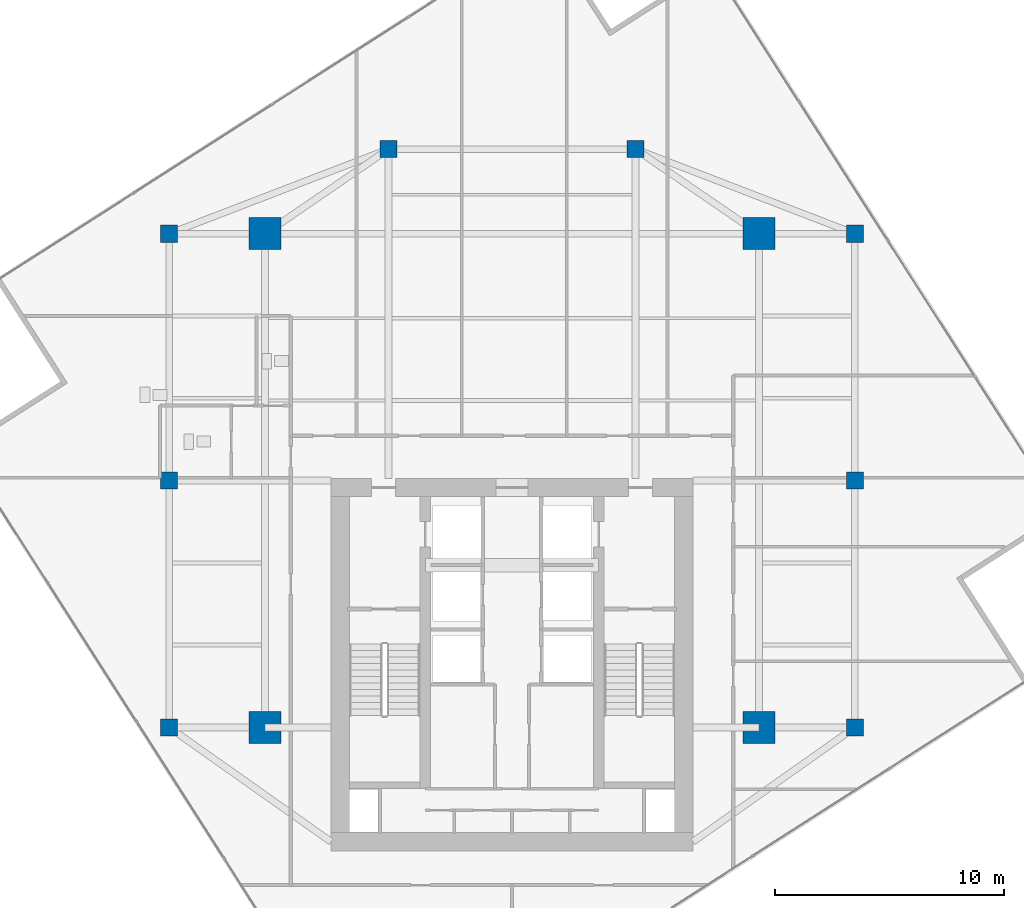
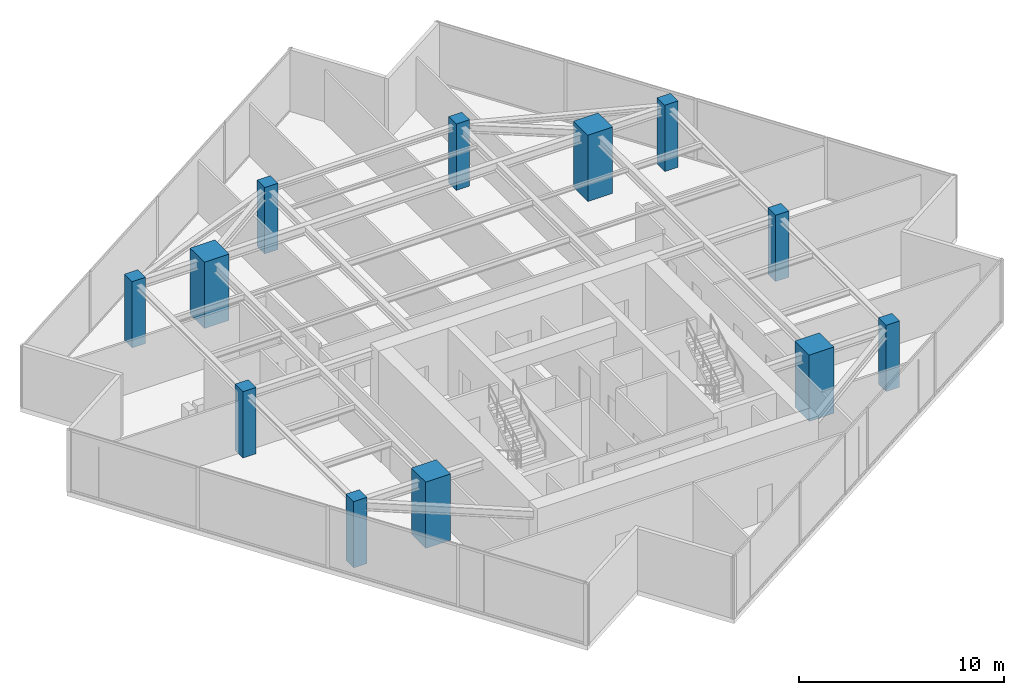
# One storey, part 1 of 20: 12 columns.
"""IFC4 building model written with IfcOpenShell, lengths in metres."""

import ifcopenshell
import ifcopenshell.guid

model = None  # the IFC model being written
_history = None  # IfcOwnerHistory: only IFC2X3 demands one
_inside = {}  # id of a spatial element -> (the spatial element, [elements in it])
_under = {}  # id of a project, library or spatial element -> (it, [spatial elements below it])
_declared = {}  # id of a project -> (the project, [libraries it declares])
_typed = {}  # id of a type object -> (the type object, [elements of that type])
_made_of = {}  # id of a material, layer set ... -> (it, [elements and type objects made of it])


def new_model(schema):
    """Start an empty IFC model of exactly this schema.

    Asked for "IFC4X3", IfcOpenShell would pick the latest addendum, in which some entities
    have other attributes; the version numbers below select the first issue.
    IFC2X3 requires an IfcOwnerHistory on every rooted entity: one is made here for all.
    """
    global model, _history
    if schema == "IFC4X3":
        model = ifcopenshell.file(schema_version=(4, 3, 0, 0))
    else:
        model = ifcopenshell.file(schema=schema)
    _inside.clear()
    _under.clear()
    _declared.clear()
    _typed.clear()
    _made_of.clear()
    _history = None
    if model.schema == "IFC2X3":
        org = make("IfcOrganization", Name="unknown")
        user = make(
            "IfcPersonAndOrganization",
            ThePerson=make("IfcPerson", FamilyName="unknown"),
            TheOrganization=org,
        )
        app = make(
            "IfcApplication",
            ApplicationDeveloper=org,
            Version="unknown",
            ApplicationFullName="unknown",
            ApplicationIdentifier="unknown",
        )
        _history = make(
            "IfcOwnerHistory",
            OwningUser=user,
            OwningApplication=app,
            ChangeAction="ADDED",
            CreationDate=0,
        )
    return model


def make(cls, **values):
    """One entity of the class cls with the attributes given. An attribute that is None is left unset."""
    return model.create_entity(
        cls, **{name: value for name, value in values.items() if value is not None}
    )


def rooted(cls, **values):
    """An entity with a GlobalId (a new one), such as an element, a storey or a relation."""
    return make(cls, GlobalId=ifcopenshell.guid.new(), OwnerHistory=_history, **values)


def si_unit(unit_type, name, prefix=None):
    """IfcSIUnit, for example si_unit("LENGTHUNIT", "METRE", prefix="MILLI")."""
    return make("IfcSIUnit", UnitType=unit_type, Prefix=prefix, Name=name)


def assignment(units):
    """IfcUnitAssignment: the units of a project."""
    return None if units is None else make("IfcUnitAssignment", Units=units)


def point(xyz):
    """IfcCartesianPoint."""
    return None if xyz is None else make("IfcCartesianPoint", Coordinates=xyz)


def direction(xyz):
    """IfcDirection."""
    return None if xyz is None else make("IfcDirection", DirectionRatios=xyz)


def frame(location, z_axis=None, x_axis=None):
    """IfcAxis2Placement3D, a coordinate frame: its origin and axes. An axis left out is left unset."""
    return make(
        "IfcAxis2Placement3D",
        Location=point(location),
        Axis=direction(z_axis),
        RefDirection=direction(x_axis),
    )


def frame_2d(location, x_axis=None):
    """IfcAxis2Placement2D, a coordinate frame in the plane: its origin and x axis."""
    return make(
        "IfcAxis2Placement2D", Location=point(location), RefDirection=direction(x_axis)
    )


def origin():
    """The frame at (0, 0, 0) with its axes left unset."""
    return frame((0.0, 0.0, 0.0))


def origin_2d():
    """The frame at (0, 0) in the plane with its x axis left unset."""
    return frame_2d((0.0, 0.0))


def place(relative_to, where):
    """IfcLocalPlacement: puts the frame where relative to a parent placement (None: the world)."""
    return make(
        "IfcLocalPlacement", PlacementRelTo=relative_to, RelativePlacement=where
    )


def context(
    kind, dimensions, precision=None, world=None, true_north=None, identifier=None
):
    """IfcGeometricRepresentationContext, for example the 3D "Model" context."""
    return make(
        "IfcGeometricRepresentationContext",
        ContextIdentifier=identifier,
        ContextType=kind,
        CoordinateSpaceDimension=dimensions,
        Precision=precision,
        WorldCoordinateSystem=world,
        TrueNorth=true_north,
    )


def subcontext(parent, identifier, kind, view, scale=None):
    """IfcGeometricRepresentationSubContext, for example "Body" below "Model"."""
    return make(
        "IfcGeometricRepresentationSubContext",
        ContextIdentifier=identifier,
        ContextType=kind,
        ParentContext=parent,
        TargetScale=scale,
        TargetView=view,
    )


def project(units=None, contexts=None):
    """IfcProject with its units and contexts."""
    return rooted(
        "IfcProject",
        Name="project",
        RepresentationContexts=contexts,
        UnitsInContext=assignment(units),
    )


def spatial(cls, under=None, at=None, **own):
    """A site, building, storey or space (cls), placed at a placement, below another one or the project."""
    s = rooted(cls, ObjectPlacement=at, **own)
    if under is not None:
        _under.setdefault(under.id(), (under, []))[1].append(s)
    return s


def profile(cls, at=None, kind="AREA", **sizes):
    """A parametric profile (cls). Its sizes go by their IFC names, for example OverallWidth=200.0."""
    return make(cls, ProfileType=kind, Position=at, **sizes)


def rectangle(**sizes):
    """IfcRectangleProfileDef."""
    return profile("IfcRectangleProfileDef", **sizes)


def extrude(swept, where, along, depth):
    """IfcExtrudedAreaSolid: the profile swept, set in the frame where, extruded along a direction by depth."""
    return make(
        "IfcExtrudedAreaSolid",
        SweptArea=swept,
        Position=where,
        ExtrudedDirection=direction(along),
        Depth=depth,
    )


def shape(context_of_items, identifier, shape_type, items):
    """IfcShapeRepresentation: the items that make up one representation, for example the "Body"."""
    return make(
        "IfcShapeRepresentation",
        ContextOfItems=context_of_items,
        RepresentationIdentifier=identifier,
        RepresentationType=shape_type,
        Items=items,
    )


def source(mapping_origin, context_of_items, identifier, shape_type, items):
    """IfcRepresentationMap: a shape defined once, which mapped items show again and again."""
    return make(
        "IfcRepresentationMap",
        MappingOrigin=mapping_origin,
        MappedRepresentation=shape(context_of_items, identifier, shape_type, items),
    )


def transform(
    local_origin,
    x_axis=None,
    y_axis=None,
    z_axis=None,
    scale=None,
    scale2=None,
    scale3=None,
    uniform=True,
):
    """IfcCartesianTransformationOperator3D, or its non-uniform kind. x_axis, y_axis, z_axis: its Axis1, 2, 3."""
    if uniform:
        return make(
            "IfcCartesianTransformationOperator3D",
            Axis1=direction(x_axis),
            Axis2=direction(y_axis),
            LocalOrigin=point(local_origin),
            Scale=scale,
            Axis3=direction(z_axis),
        )
    return make(
        "IfcCartesianTransformationOperator3DnonUniform",
        Axis1=direction(x_axis),
        Axis2=direction(y_axis),
        LocalOrigin=point(local_origin),
        Scale=scale,
        Axis3=direction(z_axis),
        Scale2=scale2,
        Scale3=scale3,
    )


def mapped(mapping_source, mapping_target):
    """IfcMappedItem: shows the shape of a source again, moved by a transform."""
    return make(
        "IfcMappedItem", MappingSource=mapping_source, MappingTarget=mapping_target
    )


def material(Name=None, Category=None):
    """IfcMaterial."""
    return make("IfcMaterial", Name=Name, Category=Category)


def material_profile(
    of_material, cross_section, Name=None, Category=None, Priority=None
):
    """IfcMaterialProfile: a cross section and its material."""
    return make(
        "IfcMaterialProfile",
        Name=Name,
        Material=of_material,
        Profile=cross_section,
        Priority=Priority,
        Category=Category,
    )


def profile_set(profiles, Name=None, composite=None):
    """IfcMaterialProfileSet."""
    return make(
        "IfcMaterialProfileSet",
        Name=Name,
        MaterialProfiles=profiles,
        CompositeProfile=composite,
    )


def made_of(thing, what):
    """Note that an element or type object is made of a material, layer set ...; save() writes the relation."""
    if what is not None:
        _made_of.setdefault(what.id(), (what, []))[1].append(thing)
    return thing


def type_object(cls, material=None, **own):
    """A type object (cls), such as IfcWallType, which elements share."""
    return made_of(rooted(cls, **own), material)


def type_shapes(of_type, sources):
    """Give a type object the sources (RepresentationMaps) that its elements show as mapped items."""
    of_type.RepresentationMaps = sources


def element(
    cls,
    number,
    at=None,
    inside=None,
    cuts=None,
    type_object=None,
    material=None,
    context=None,
    identifier="Body",
    shape_type=None,
    held_by="IfcProductDefinitionShape",
    body=None,
    shapes=None,
    **own,
):
    """One element of the class cls, such as IfcWall. Its Tag is "e" and its number.

    at: its placement. inside: the storey or other place that contains it. cuts: it is an
    opening in that element (IfcRelVoidsElement). A single representation is given by context,
    identifier, shape_type and body (its items); several are given by shapes. held_by: the class
    of the entity that holds the representations. save() writes the other relations.
    """
    e = rooted(cls, Tag="e%d" % number, ObjectPlacement=at, **own)
    if body is not None:
        shapes = [shape(context, identifier, shape_type, body)]
    if shapes is not None:
        e.Representation = make(held_by, Representations=shapes)
    if inside is not None:
        _inside.setdefault(inside.id(), (inside, []))[1].append(e)
    if cuts is not None:
        rooted(
            "IfcRelVoidsElement", RelatingBuildingElement=cuts, RelatedOpeningElement=e
        )
    if type_object is not None:
        _typed.setdefault(type_object.id(), (type_object, []))[1].append(e)
    return made_of(e, material)


def aggregate(whole, parts):
    """IfcRelAggregates: a whole, such as a stair, and the parts it consists of."""
    return rooted("IfcRelAggregates", RelatingObject=whole, RelatedObjects=parts)


def save(model, path):
    """Write the relations noted so far, then the file.

    IfcRelAggregates (storeys below a building ...), IfcRelContainedInSpatialStructure (elements
    in a storey), IfcRelDefinesByType, IfcRelAssociatesMaterial and IfcRelDeclares: one each for
    every whole, place, type object, material and project.
    """
    for whole, parts in _under.values():
        aggregate(whole, parts)
    for where, things in _inside.values():
        rooted(
            "IfcRelContainedInSpatialStructure",
            RelatedElements=things,
            RelatingStructure=where,
        )
    for kind, things in _typed.values():
        rooted("IfcRelDefinesByType", RelatedObjects=things, RelatingType=kind)
    for what, things in _made_of.values():
        rooted("IfcRelAssociatesMaterial", RelatedObjects=things, RelatingMaterial=what)
    for by, libraries in _declared.values():
        rooted("IfcRelDeclares", RelatingContext=by, RelatedDefinitions=libraries)
    model.write(path)


model = new_model("IFC4")

# Units and contexts
model_context = context("Model", 3, precision=1e-05, world=origin(), true_north=direction((0.0, 1.0)))
body_context = subcontext(model_context, "Body", "Model", "MODEL_VIEW")
ifc_project = project(units=[si_unit("LENGTHUNIT", "METRE"), si_unit("AREAUNIT", "SQUARE_METRE"), si_unit("VOLUMEUNIT", "CUBIC_METRE"), si_unit("PLANEANGLEUNIT", "RADIAN"), si_unit("MASSUNIT", "GRAM", prefix="KILO")], contexts=[model_context])

# Site, building, storey
site_placement = place(None, origin())
site = spatial("IfcSite", under=ifc_project, at=site_placement, CompositionType="ELEMENT")
building_placement = place(site_placement, origin())
building = spatial("IfcBuilding", under=site, at=building_placement, Name="Krantzveldt Concourse Tower", CompositionType="ELEMENT")
storey_placement = place(building_placement, frame((0.0, 0.0, 283.199951171875)))
storey = spatial("IfcBuildingStorey", under=building, at=storey_placement, Name="L69", CompositionType="ELEMENT", Elevation=283.199951171875)

# Columns
ifc_material = material(Name="Concrete C50/60", Category="concrete")
ifc_material_profile_1 = material_profile(ifc_material, rectangle(XDim=1.39990234375, YDim=1.39990234375, at=origin_2d()), Name="Concrete C50/60", Category="concrete")
ifc_profile_set_1 = profile_set([ifc_material_profile_1], Name="Concrete C50/60 - RC 1400x1400")
column_type_1 = type_object("IfcColumnType", Name="COL-MC-1400", PredefinedType="USERDEFINED", material=ifc_profile_set_1)
shared_shape_1 = source(origin(), body_context, "Body", "SweptSolid", [
    extrude(rectangle(XDim=1.39990234375, YDim=1.39990234375, at=origin_2d()), origin(), (0.0, 0.0, 1.0), 3.949951171875),
])
type_shapes(column_type_1, [shared_shape_1])
for number, where, z_axis, x_axis, name in (
    (1, (25.199951171875, 15.89990234375, 0.0), (0.0, 0.0, 1.0), (1.0, 0.0, 0.0), "MC-SW-L69"),
    (2, (46.800048828125, 15.89990234375, 0.0), (0.0, 0.0, 1.0), (1.0, 0.0, 0.0), "MC-SE-L69"),
    (3, (46.800048828125, 37.5, 0.0), (0.0, 0.0, 1.0), (1.0, 0.0, 0.0), "MC-NE-L69"),
    (4, (25.199951171875, 37.5, 0.0), (0.0, 0.0, 1.0), (1.0, 0.0, 0.0), "MC-NW-L69"),
):
    element("IfcColumn", number, at=place(storey_placement, frame(where, z_axis=z_axis, x_axis=x_axis)), inside=storey, type_object=column_type_1, Name=name, ObjectType="MEGA COLUMN", PredefinedType="USERDEFINED", context=body_context, shape_type="MappedRepresentation", body=[
        mapped(shared_shape_1, transform((0.0, 0.0, 0.0), x_axis=(1.0, 0.0, 0.0), y_axis=(0.0, 1.0, 0.0), z_axis=(0.0, 0.0, 1.0), scale=1.0)),
    ])
ifc_material_profile_2 = material_profile(ifc_material, rectangle(XDim=0.75, YDim=0.75, at=origin_2d()), Name="Concrete C50/60", Category="concrete")
ifc_profile_set_2 = profile_set([ifc_material_profile_2], Name="Concrete C50/60 - RC 750x750")
column_type_2 = type_object("IfcColumnType", Name="COL-C-Z5", PredefinedType="COLUMN", material=ifc_profile_set_2)
shared_shape_2 = source(origin(), body_context, "Body", "SweptSolid", [
    extrude(rectangle(XDim=0.75, YDim=0.75, at=origin_2d()), origin(), (0.0, 0.0, 1.0), 3.949951171875),
])
type_shapes(column_type_2, [shared_shape_2])
for number, where, z_axis, x_axis, name in (
    (5, (21.0, 15.89990234375, 0.0), (0.0, 0.0, 1.0), (1.0, 0.0, 0.0), "PC-R01-L69"),
    (6, (21.0, 26.699951171875, 0.0), (0.0, 0.0, 1.0), (1.0, 0.0, 0.0), "PC-R02-L69"),
    (7, (21.0, 37.5, 0.0), (0.0, 0.0, 1.0), (1.0, 0.0, 0.0), "PC-R03-L69"),
    (8, (30.60009765625, 41.199951171875, 0.0), (0.0, 0.0, 1.0), (1.0, 0.0, 0.0), "PC-R04-L69"),
    (9, (41.39990234375, 41.199951171875, 0.0), (0.0, 0.0, 1.0), (1.0, 0.0, 0.0), "PC-R05-L69"),
    (10, (51.0, 37.5, 0.0), (0.0, 0.0, 1.0), (1.0, 0.0, 0.0), "PC-R06-L69"),
    (11, (51.0, 26.699951171875, 0.0), (0.0, 0.0, 1.0), (1.0, 0.0, 0.0), "PC-R07-L69"),
    (12, (51.0, 15.89990234375, 0.0), (0.0, 0.0, 1.0), (1.0, 0.0, 0.0), "PC-R08-L69"),
):
    element("IfcColumn", number, at=place(storey_placement, frame(where, z_axis=z_axis, x_axis=x_axis)), inside=storey, type_object=column_type_2, Name=name, PredefinedType="COLUMN", context=body_context, shape_type="MappedRepresentation", body=[
        mapped(shared_shape_2, transform((0.0, 0.0, 0.0), x_axis=(1.0, 0.0, 0.0), y_axis=(0.0, 1.0, 0.0), z_axis=(0.0, 0.0, 1.0), scale=1.0)),
    ])

save(model, "model.ifc")
